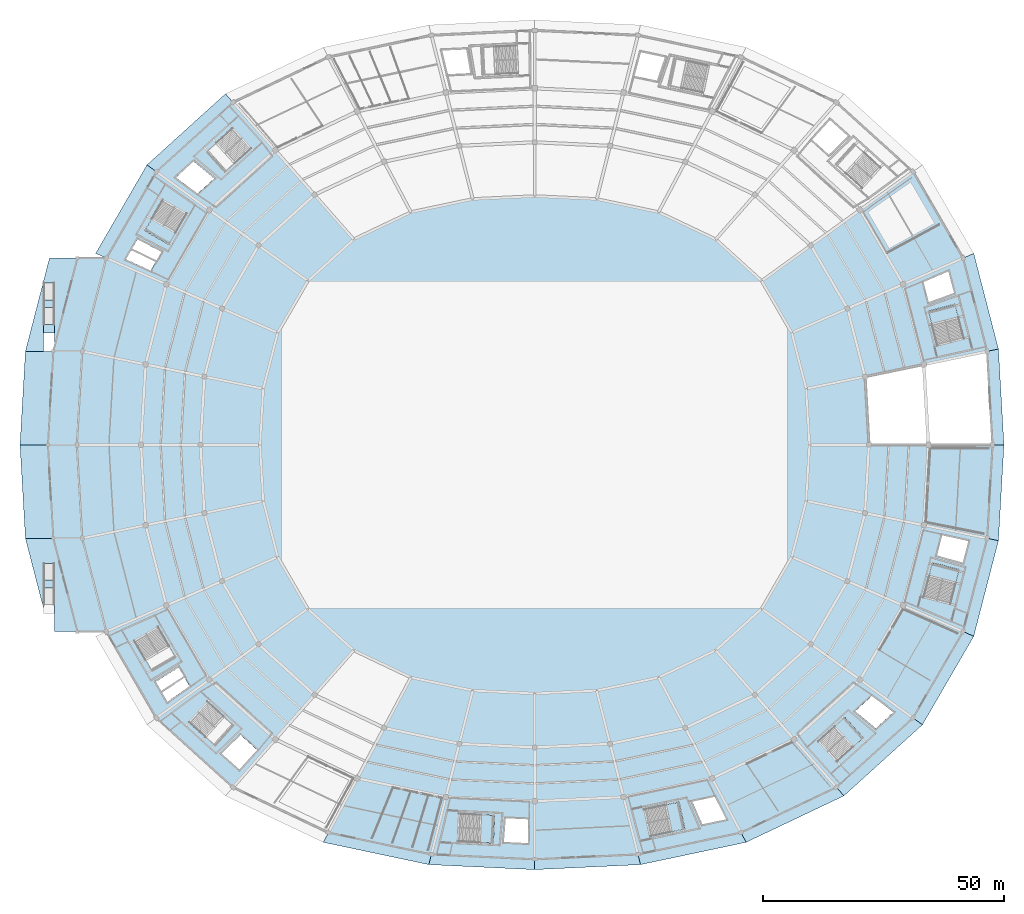
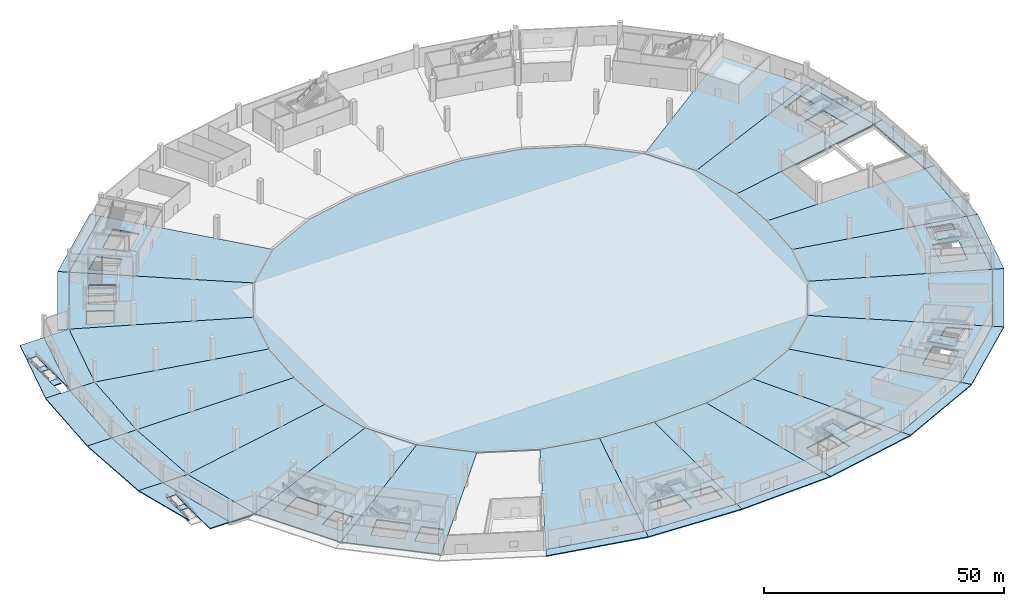
# One storey, part 7 of 48: 51 slabs, 8 elements without a shape of their own.
"""IFC4 building model written with IfcOpenShell, lengths in metres."""

from ifc_helpers import new_model, si_unit, direction, frame, origin, place, context, subcontext, project, spatial, polyline, outline, extrude, material, layer, layer_set, type_object, element, aggregate, save


model = new_model("IFC4")

# Units and contexts
model_context = context("Model", 3, precision=1e-05, world=origin(), true_north=direction((0.0, 1.0)))
body_context = subcontext(model_context, "Body", "Model", "MODEL_VIEW")
ifc_project = project(units=[si_unit("LENGTHUNIT", "METRE"), si_unit("AREAUNIT", "SQUARE_METRE"), si_unit("VOLUMEUNIT", "CUBIC_METRE"), si_unit("PLANEANGLEUNIT", "RADIAN"), si_unit("MASSUNIT", "GRAM", prefix="KILO")], contexts=[model_context])

# Site, building, storey
site_placement = place(None, origin())
site = spatial("IfcSite", under=ifc_project, at=site_placement, CompositionType="ELEMENT")
building_placement = place(site_placement, origin())
building = spatial("IfcBuilding", under=site, at=building_placement, Name="Kazemori Nagisa Stadium", CompositionType="ELEMENT")
storey_placement = place(building_placement, origin())
storey = spatial("IfcBuildingStorey", under=building, at=storey_placement, Name="L00", CompositionType="ELEMENT", Elevation=0.0)

# Slabs
ifc_material = material(Name="Concrete C36/45 (Fc36)", Category="concrete")
ifc_layer_1 = layer(ifc_material, 0.25, Name="Concrete C36/45 (Fc36)", Category="concrete")
ifc_layer_set_1 = layer_set([ifc_layer_1], Name="Concrete C36/45 (Fc36)")
slab_type_1 = type_object("IfcSlabType", Name="Slab_SL-APRON-250", PredefinedType="FLOOR", material=ifc_layer_set_1)
slab_1_placement = place(storey_placement, frame((0.0, 0.0, -0.25)))
element("IfcSlab", 1, at=slab_1_placement, inside=storey, type_object=slab_type_1, Name="Vehicle ramp exterior driveway apron L00", PredefinedType="FLOOR", context=body_context, shape_type="SweptSolid", body=[
    extrude(outline(polyline([(218.0, 102.0), (216.880859375, 121.397705078125), (219.227783203125, 121.882568359375), (220.375, 102.0), (218.0, 102.0)])), origin(), (0.0, 0.0, 1.0), 0.25),
])
slab_2_placement = place(storey_placement, frame((0.0, 0.0, -0.25)))
element("IfcSlab", 2, at=slab_2_placement, inside=storey, type_object=slab_type_1, Name="Exterior entrance plaza apron L00 bay 02", PredefinedType="FLOOR", context=body_context, shape_type="SweptSolid", body=[
    extrude(outline(polyline([(216.880859375, 121.397705078125), (211.885009765625, 140.74951171875), (214.10693359375, 141.71826171875), (219.227783203125, 121.882568359375), (216.880859375, 121.397705078125)])), origin(), (0.0, 0.0, 1.0), 0.25),
])
slab_3_placement = place(storey_placement, frame((0.0, 0.0, -0.25)))
element("IfcSlab", 3, at=slab_3_placement, inside=storey, type_object=slab_type_1, Name="Exterior entrance plaza apron L00 bay 11", PredefinedType="FLOOR", context=body_context, shape_type="SweptSolid", body=[
    extrude(outline(polyline([(60.402099609375, 173.05908203125), (44.504638671875, 158.667724609375), (42.542236328125, 160.084228515625), (58.837158203125, 174.83544921875), (60.402099609375, 173.05908203125)])), origin(), (0.0, 0.0, 1.0), 0.25),
])
slab_4_placement = place(storey_placement, frame((0.0, 0.0, -0.25)))
element("IfcSlab", 4, at=slab_4_placement, inside=storey, type_object=slab_type_1, Name="Exterior entrance plaza apron L00 bay 12", PredefinedType="FLOOR", context=body_context, shape_type="SweptSolid", body=[
    extrude(outline(polyline([(44.504638671875, 158.667724609375), (34.114990234375, 140.74951171875), (31.89306640625, 141.71826171875), (42.542236328125, 160.084228515625), (44.504638671875, 158.667724609375)])), origin(), (0.0, 0.0, 1.0), 0.25),
])
slab_5_placement = place(storey_placement, frame((0.0, 0.0, -0.25)))
element("IfcSlab", 5, at=slab_5_placement, inside=storey, type_object=slab_type_1, Name="Exterior entrance plaza apron L00 bay 20", PredefinedType="FLOOR", context=body_context, shape_type="SweptSolid", body=[
    extrude(outline(polyline([(80.1953125, 21.53564453125), (101.572265625, 17.01318359375), (101.03662109375, 14.888427734375), (79.125244140625, 19.524169921875), (80.1953125, 21.53564453125)])), origin(), (0.0, 0.0, 1.0), 0.25),
])
slab_6_placement = place(storey_placement, frame((0.0, 0.0, -0.25)))
element("IfcSlab", 6, at=slab_6_placement, inside=storey, type_object=slab_type_1, Name="Exterior entrance plaza apron L00 bay 21", PredefinedType="FLOOR", context=body_context, shape_type="SweptSolid", body=[
    extrude(outline(polyline([(101.572265625, 17.01318359375), (123.0, 16.0), (123.0, 13.85009765625), (101.03662109375, 14.888427734375), (101.572265625, 17.01318359375)])), origin(), (0.0, 0.0, 1.0), 0.25),
])
slab_7_placement = place(storey_placement, frame((0.0, 0.0, -0.25)))
element("IfcSlab", 7, at=slab_7_placement, inside=storey, type_object=slab_type_1, Name="Exterior entrance plaza apron L00 bay 22", PredefinedType="FLOOR", context=body_context, shape_type="SweptSolid", body=[
    extrude(outline(polyline([(123.0, 16.0), (144.427734375, 17.01318359375), (144.96337890625, 14.888427734375), (123.0, 13.85009765625), (123.0, 16.0)])), origin(), (0.0, 0.0, 1.0), 0.25),
])
slab_8_placement = place(storey_placement, frame((0.0, 0.0, -0.25)))
element("IfcSlab", 8, at=slab_8_placement, inside=storey, type_object=slab_type_1, Name="Exterior entrance plaza apron L00 bay 23", PredefinedType="FLOOR", context=body_context, shape_type="SweptSolid", body=[
    extrude(outline(polyline([(144.427734375, 17.01318359375), (165.8046875, 21.53564453125), (166.874755859375, 19.524169921875), (144.96337890625, 14.888427734375), (144.427734375, 17.01318359375)])), origin(), (0.0, 0.0, 1.0), 0.25),
])
slab_9_placement = place(storey_placement, frame((0.0, 0.0, -0.25)))
element("IfcSlab", 9, at=slab_9_placement, inside=storey, type_object=slab_type_1, Name="Exterior entrance plaza apron L00 bay 24", PredefinedType="FLOOR", context=body_context, shape_type="SweptSolid", body=[
    extrude(outline(polyline([(165.8046875, 21.53564453125), (185.597900390625, 30.94091796875), (187.162841796875, 29.16455078125), (166.874755859375, 19.524169921875), (165.8046875, 21.53564453125)])), origin(), (0.0, 0.0, 1.0), 0.25),
])
slab_10_placement = place(storey_placement, frame((0.0, 0.0, -0.25)))
element("IfcSlab", 10, at=slab_10_placement, inside=storey, type_object=slab_type_1, Name="Exterior entrance plaza apron L00 bay 25", PredefinedType="FLOOR", context=body_context, shape_type="SweptSolid", body=[
    extrude(outline(polyline([(185.597900390625, 30.94091796875), (201.495361328125, 45.332275390625), (203.457763671875, 43.915771484375), (187.162841796875, 29.16455078125), (185.597900390625, 30.94091796875)])), origin(), (0.0, 0.0, 1.0), 0.25),
])
slab_11_placement = place(storey_placement, frame((0.0, 0.0, -0.25)))
element("IfcSlab", 11, at=slab_11_placement, inside=storey, type_object=slab_type_1, Name="Exterior entrance plaza apron L00 bay 26", PredefinedType="FLOOR", context=body_context, shape_type="SweptSolid", body=[
    extrude(outline(polyline([(201.495361328125, 45.332275390625), (211.885009765625, 63.25048828125), (214.10693359375, 62.28173828125), (203.457763671875, 43.915771484375), (201.495361328125, 45.332275390625)])), origin(), (0.0, 0.0, 1.0), 0.25),
])
slab_12_placement = place(storey_placement, frame((0.0, 0.0, -0.25)))
element("IfcSlab", 12, at=slab_12_placement, inside=storey, type_object=slab_type_1, Name="Exterior entrance plaza apron L00 bay 27", PredefinedType="FLOOR", context=body_context, shape_type="SweptSolid", body=[
    extrude(outline(polyline([(211.885009765625, 63.25048828125), (216.880859375, 82.602294921875), (219.227783203125, 82.117431640625), (214.10693359375, 62.28173828125), (211.885009765625, 63.25048828125)])), origin(), (0.0, 0.0, 1.0), 0.25),
])
slab_13_placement = place(storey_placement, frame((0.0, 0.0, -0.25)))
element("IfcSlab", 13, at=slab_13_placement, inside=storey, type_object=slab_type_1, Name="Exterior entrance plaza apron L00 bay 28", PredefinedType="FLOOR", context=body_context, shape_type="SweptSolid", body=[
    extrude(outline(polyline([(216.880859375, 82.602294921875), (218.0, 102.0), (220.375, 102.0), (219.227783203125, 82.117431640625), (216.880859375, 82.602294921875)])), origin(), (0.0, 0.0, 1.0), 0.25),
])
slab_14_placement = place(storey_placement, frame((0.0, 0.0, -0.25)))
element("IfcSlab", 14, at=slab_14_placement, inside=storey, type_object=slab_type_1, Name="Kazemori boulevard arrival plaza L00 B13", PredefinedType="FLOOR", context=body_context, shape_type="SweptSolid", body=[
    extrude(outline(polyline([(23.337158203125, 122.241943359375), (23.337158203125, 135.573486328125), (21.09716796875, 135.573486328125), (21.09716796875, 121.397705078125), (17.319091796875, 121.397705078125), (22.315185546875, 140.74951171875), (28.114990234375, 140.74951171875), (23.337158203125, 122.241943359375)])), origin(), (0.0, 0.0, 1.0), 0.25),
])
slab_15_placement = place(storey_placement, frame((0.0, 0.0, -0.25)))
element("IfcSlab", 15, at=slab_15_placement, inside=storey, type_object=slab_type_1, Name="Kazemori boulevard arrival plaza L00 B14", PredefinedType="FLOOR", context=body_context, shape_type="SweptSolid", body=[
    extrude(outline(polyline([(23.119140625, 121.397705078125), (22.0, 102.0), (16.199951171875, 102.0), (17.319091796875, 121.397705078125), (23.119140625, 121.397705078125)])), origin(), (0.0, 0.0, 1.0), 0.25),
])
slab_16_placement = place(storey_placement, frame((0.0, 0.0, -0.25)))
element("IfcSlab", 16, at=slab_16_placement, inside=storey, type_object=slab_type_1, Name="Kazemori boulevard arrival plaza L00 B15", PredefinedType="FLOOR", context=body_context, shape_type="SweptSolid", body=[
    extrude(outline(polyline([(22.0, 102.0), (23.119140625, 82.602294921875), (17.319091796875, 82.602294921875), (16.199951171875, 102.0), (22.0, 102.0)])), origin(), (0.0, 0.0, 1.0), 0.25),
])
slab_17_placement = place(storey_placement, frame((0.0, 0.0, -0.25)))
element("IfcSlab", 17, at=slab_17_placement, inside=storey, type_object=slab_type_1, Name="Kazemori boulevard arrival plaza L00 B16", PredefinedType="FLOOR", context=body_context, shape_type="SweptSolid", body=[
    extrude(outline(polyline([(28.114990234375, 63.25048828125), (23.337158203125, 63.25048828125), (23.337158203125, 77.426513671875), (21.09716796875, 77.426513671875), (21.09716796875, 67.96826171875), (17.319091796875, 82.602294921875), (23.119140625, 82.602294921875), (28.114990234375, 63.25048828125)])), origin(), (0.0, 0.0, 1.0), 0.25),
])
ifc_layer_2 = layer(ifc_material, 0.300048828125, Name="Concrete C36/45 (Fc36)", Category="concrete")
ifc_layer_set_2 = layer_set([ifc_layer_2], Name="Concrete C36/45 (Fc36)")
slab_type_2 = type_object("IfcSlabType", Name="Slab_SL-L00-300", PredefinedType="FLOOR", material=ifc_layer_set_2)
slab_18_placement = place(storey_placement, frame((0.0, 0.0, -0.300048828125)))
element("IfcSlab", 18, at=slab_18_placement, inside=storey, type_object=slab_type_2, Name="Ground inner apron slab B01", PredefinedType="FLOOR", context=body_context, shape_type="SweptSolid", body=[
    extrude(outline(polyline([(180.0, 102.0), (179.328369140625, 113.638671875), (191.532958984375, 116.160400390625), (192.35009765625, 102.0), (180.0, 102.0)])), origin(), (0.0, 0.0, 1.0), 0.300048828125),
])
slab_19_placement = place(storey_placement, frame((0.0, 0.0, -0.300048828125)))
element("IfcSlab", 19, at=slab_19_placement, inside=storey, type_object=slab_type_2, Name="Ground concourse slab L00 bay 02", PredefinedType="FLOOR", context=body_context, shape_type="SweptSolid", body=[
    extrude(outline(polyline([(179.328369140625, 113.638671875), (176.3310546875, 125.249755859375), (211.885009765625, 140.74951171875), (216.880859375, 121.397705078125), (179.328369140625, 113.638671875)]), holes=[polyline([(206.533447265625, 122.641357421875), (204.760009765625, 129.51123046875), (210.279052734375, 130.93603515625), (212.052490234375, 124.066162109375), (206.533447265625, 122.641357421875)]), polyline([(204.751953125, 131.6064453125), (203.668212890625, 135.804931640625), (208.84375, 137.973876953125), (209.9970703125, 133.505859375), (204.751953125, 131.6064453125)])]), origin(), (0.0, 0.0, 1.0), 0.300048828125),
])
slab_20_placement = place(storey_placement, frame((0.0, 0.0, -0.300048828125)))
element("IfcSlab", 20, at=slab_20_placement, inside=storey, type_object=slab_type_2, Name="Ground concourse slab L00 bay 03", PredefinedType="FLOOR", context=body_context, shape_type="SweptSolid", body=[
    extrude(outline(polyline([(176.3310546875, 125.249755859375), (170.09716796875, 136.00048828125), (201.495361328125, 158.667724609375), (211.885009765625, 140.74951171875), (176.3310546875, 125.249755859375)])), origin(), (0.0, 0.0, 1.0), 0.300048828125),
])
slab_21_placement = place(storey_placement, frame((0.0, 0.0, -0.300048828125)))
element("IfcSlab", 21, at=slab_21_placement, inside=storey, type_object=slab_type_2, Name="Ground concourse slab L00 bay 11", PredefinedType="FLOOR", context=body_context, shape_type="SweptSolid", body=[
    extrude(outline(polyline([(85.441162109375, 144.635498046875), (75.90283203125, 136.00048828125), (44.504638671875, 158.667724609375), (60.402099609375, 173.05908203125), (85.441162109375, 144.635498046875)]), holes=[polyline([(64.12109375, 163.4794921875), (58.861328125, 158.7177734375), (55.035888671875, 162.943603515625), (60.2958984375, 167.705078125), (64.12109375, 163.4794921875)]), polyline([(56.495361328125, 157.260498046875), (53.046142578125, 154.13818359375), (48.557861328125, 157.4833984375), (52.228271484375, 160.80615234375), (56.495361328125, 157.260498046875)])]), origin(), (0.0, 0.0, 1.0), 0.300048828125),
])
slab_22_placement = place(storey_placement, frame((0.0, 0.0, -0.300048828125)))
element("IfcSlab", 22, at=slab_22_placement, inside=storey, type_object=slab_type_2, Name="Ground concourse slab L00 bay 12", PredefinedType="FLOOR", context=body_context, shape_type="SweptSolid", body=[
    extrude(outline(polyline([(75.90283203125, 136.00048828125), (69.6689453125, 125.249755859375), (34.114990234375, 140.74951171875), (44.504638671875, 158.667724609375), (75.90283203125, 136.00048828125)]), holes=[polyline([(50.736083984375, 149.940673828125), (47.17724609375, 143.802734375), (42.24609375, 146.661865234375), (45.80517578125, 152.7998046875), (50.736083984375, 149.940673828125)]), polyline([(45.5595703125, 142.051025390625), (43.305419921875, 138.163330078125), (38.1923828125, 140.483642578125), (40.591064453125, 144.62060546875), (45.5595703125, 142.051025390625)])]), origin(), (0.0, 0.0, 1.0), 0.300048828125),
])
slab_23_placement = place(storey_placement, frame((0.0, 0.0, -0.300048828125)))
element("IfcSlab", 23, at=slab_23_placement, inside=storey, type_object=slab_type_2, Name="Ground concourse slab L00 bay 13", PredefinedType="FLOOR", context=body_context, shape_type="SweptSolid", body=[
    extrude(outline(polyline([(69.6689453125, 125.249755859375), (66.671630859375, 113.638671875), (29.119140625, 121.397705078125), (34.114990234375, 140.74951171875), (69.6689453125, 125.249755859375)])), origin(), (0.0, 0.0, 1.0), 0.300048828125),
])
slab_24_placement = place(storey_placement, frame((0.0, 0.0, -0.300048828125)))
element("IfcSlab", 24, at=slab_24_placement, inside=storey, type_object=slab_type_2, Name="Ground concourse slab L00 bay 14", PredefinedType="FLOOR", context=body_context, shape_type="SweptSolid", body=[
    extrude(outline(polyline([(66.671630859375, 113.638671875), (66.0, 102.0), (28.0, 102.0), (29.119140625, 121.397705078125), (66.671630859375, 113.638671875)])), origin(), (0.0, 0.0, 1.0), 0.300048828125),
])
slab_25_placement = place(storey_placement, frame((0.0, 0.0, -0.300048828125)))
element("IfcSlab", 25, at=slab_25_placement, inside=storey, type_object=slab_type_2, Name="Ground concourse slab L00 bay 15", PredefinedType="FLOOR", context=body_context, shape_type="SweptSolid", body=[
    extrude(outline(polyline([(66.0, 102.0), (66.671630859375, 90.361328125), (29.119140625, 82.602294921875), (28.0, 102.0), (66.0, 102.0)])), origin(), (0.0, 0.0, 1.0), 0.300048828125),
])
slab_26_placement = place(storey_placement, frame((0.0, 0.0, -0.300048828125)))
element("IfcSlab", 26, at=slab_26_placement, inside=storey, type_object=slab_type_2, Name="Ground concourse slab L00 bay 16", PredefinedType="FLOOR", context=body_context, shape_type="SweptSolid", body=[
    extrude(outline(polyline([(66.671630859375, 90.361328125), (69.6689453125, 78.750244140625), (34.114990234375, 63.25048828125), (29.119140625, 82.602294921875), (66.671630859375, 90.361328125)])), origin(), (0.0, 0.0, 1.0), 0.300048828125),
])
slab_27_placement = place(storey_placement, frame((0.0, 0.0, -0.300048828125)))
element("IfcSlab", 27, at=slab_27_placement, inside=storey, type_object=slab_type_2, Name="Ground concourse slab L00 bay 17", PredefinedType="FLOOR", context=body_context, shape_type="SweptSolid", body=[
    extrude(outline(polyline([(69.6689453125, 78.750244140625), (75.90283203125, 67.99951171875), (44.504638671875, 45.332275390625), (34.114990234375, 63.25048828125), (69.6689453125, 78.750244140625)]), holes=[polyline([(44.858642578125, 64.196044921875), (48.41748046875, 58.05810546875), (43.486572265625, 55.198974609375), (39.927490234375, 61.336669921875), (44.858642578125, 64.196044921875)]), polyline([(49.128662109375, 55.793701171875), (51.3828125, 51.90625), (46.787841796875, 48.6923828125), (44.38916015625, 52.829345703125), (49.128662109375, 55.793701171875)])]), origin(), (0.0, 0.0, 1.0), 0.300048828125),
])
slab_28_placement = place(storey_placement, frame((0.0, 0.0, -0.300048828125)))
element("IfcSlab", 28, at=slab_28_placement, inside=storey, type_object=slab_type_2, Name="Ground concourse slab L00 bay 18", PredefinedType="FLOOR", context=body_context, shape_type="SweptSolid", body=[
    extrude(outline(polyline([(75.90283203125, 67.99951171875), (85.441162109375, 59.364501953125), (60.402099609375, 30.94091796875), (44.504638671875, 45.332275390625), (75.90283203125, 67.99951171875)]), holes=[polyline([(55.12353515625, 48.665771484375), (60.383544921875, 43.904052734375), (56.55810546875, 39.678466796875), (51.29833984375, 44.43994140625), (55.12353515625, 48.665771484375)]), polyline([(61.956298828125, 41.795654296875), (65.405517578125, 38.67333984375), (61.710205078125, 34.6103515625), (58.039794921875, 37.93310546875), (61.956298828125, 41.795654296875)])]), origin(), (0.0, 0.0, 1.0), 0.300048828125),
])
slab_29_placement = place(storey_placement, frame((0.0, 0.0, -0.300048828125)))
element("IfcSlab", 29, at=slab_29_placement, inside=storey, type_object=slab_type_2, Name="Ground concourse slab L00 bay 20", PredefinedType="FLOOR", context=body_context, shape_type="SweptSolid", body=[
    extrude(outline(polyline([(97.317138671875, 53.721435546875), (110.143310546875, 51.0078125), (101.572265625, 17.01318359375), (80.1953125, 21.53564453125), (97.317138671875, 53.721435546875)])), origin(), (0.0, 0.0, 1.0), 0.300048828125),
])
slab_30_placement = place(storey_placement, frame((0.0, 0.0, -0.300048828125)))
element("IfcSlab", 30, at=slab_30_placement, inside=storey, type_object=slab_type_2, Name="Ground concourse slab L00 bay 21", PredefinedType="FLOOR", context=body_context, shape_type="SweptSolid", body=[
    extrude(outline(polyline([(110.143310546875, 51.0078125), (123.0, 50.39990234375), (123.0, 16.0), (101.572265625, 17.01318359375), (110.143310546875, 51.0078125)]), holes=[polyline([(107.32470703125, 25.434814453125), (114.411865234375, 25.099853515625), (114.142578125, 19.40625), (107.0556640625, 19.7412109375), (107.32470703125, 25.434814453125)]), polyline([(116.9951171875, 24.5400390625), (121.64404296875, 24.320068359375), (121.55712890625, 19.336181640625), (116.60986328125, 19.570068359375), (116.9951171875, 24.5400390625)])]), origin(), (0.0, 0.0, 1.0), 0.300048828125),
])
slab_31_placement = place(storey_placement, frame((0.0, 0.0, -0.300048828125)))
element("IfcSlab", 31, at=slab_31_placement, inside=storey, type_object=slab_type_2, Name="Ground concourse slab L00 bay 22", PredefinedType="FLOOR", context=body_context, shape_type="SweptSolid", body=[
    extrude(outline(polyline([(123.0, 50.39990234375), (135.856689453125, 51.0078125), (144.427734375, 17.01318359375), (123.0, 16.0), (123.0, 50.39990234375)])), origin(), (0.0, 0.0, 1.0), 0.300048828125),
])
slab_32_placement = place(storey_placement, frame((0.0, 0.0, -0.300048828125)))
element("IfcSlab", 32, at=slab_32_placement, inside=storey, type_object=slab_type_2, Name="Ground concourse slab L00 bay 23", PredefinedType="FLOOR", context=body_context, shape_type="SweptSolid", body=[
    extrude(outline(polyline([(135.856689453125, 51.0078125), (148.682861328125, 53.721435546875), (165.8046875, 21.53564453125), (144.427734375, 17.01318359375), (135.856689453125, 51.0078125)]), holes=[polyline([(145.77685546875, 26.353271484375), (152.71826171875, 27.82177734375), (153.89794921875, 22.2451171875), (146.956787109375, 20.776611328125), (145.77685546875, 26.353271484375)]), polyline([(155.704833984375, 27.992919921875), (160.3427734375, 28.97412109375), (162.738525390625, 24.288818359375), (157.802978515625, 23.24462890625), (155.704833984375, 27.992919921875)])]), origin(), (0.0, 0.0, 1.0), 0.300048828125),
])
slab_33_placement = place(storey_placement, frame((0.0, 0.0, -0.300048828125)))
element("IfcSlab", 33, at=slab_33_placement, inside=storey, type_object=slab_type_2, Name="Ground concourse slab L00 bay 24", PredefinedType="FLOOR", context=body_context, shape_type="SweptSolid", body=[
    extrude(outline(polyline([(148.682861328125, 53.721435546875), (160.558837890625, 59.364501953125), (185.597900390625, 30.94091796875), (165.8046875, 21.53564453125), (148.682861328125, 53.721435546875)])), origin(), (0.0, 0.0, 1.0), 0.300048828125),
])
slab_34_placement = place(storey_placement, frame((0.0, 0.0, -0.300048828125)))
element("IfcSlab", 34, at=slab_34_placement, inside=storey, type_object=slab_type_2, Name="Ground concourse slab L00 bay 25", PredefinedType="FLOOR", context=body_context, shape_type="SweptSolid", body=[
    extrude(outline(polyline([(160.558837890625, 59.364501953125), (170.09716796875, 67.99951171875), (201.495361328125, 45.332275390625), (185.597900390625, 30.94091796875), (160.558837890625, 59.364501953125)]), holes=[polyline([(181.87890625, 40.5205078125), (187.138671875, 45.2822265625), (190.964111328125, 41.056396484375), (185.7041015625, 36.294921875), (181.87890625, 40.5205078125)]), polyline([(189.504638671875, 46.739501953125), (192.953857421875, 49.86181640625), (197.442138671875, 46.5166015625), (193.771728515625, 43.19384765625), (189.504638671875, 46.739501953125)])]), origin(), (0.0, 0.0, 1.0), 0.300048828125),
])
slab_35_placement = place(storey_placement, frame((0.0, 0.0, -0.300048828125)))
element("IfcSlab", 35, at=slab_35_placement, inside=storey, type_object=slab_type_2, Name="Ground concourse slab L00 bay 26", PredefinedType="FLOOR", context=body_context, shape_type="SweptSolid", body=[
    extrude(outline(polyline([(170.09716796875, 67.99951171875), (176.3310546875, 78.750244140625), (211.885009765625, 63.25048828125), (201.495361328125, 45.332275390625), (170.09716796875, 67.99951171875)])), origin(), (0.0, 0.0, 1.0), 0.300048828125),
])
slab_36_placement = place(storey_placement, frame((0.0, 0.0, -0.300048828125)))
element("IfcSlab", 36, at=slab_36_placement, inside=storey, type_object=slab_type_2, Name="Ground concourse slab L00 bay 27", PredefinedType="FLOOR", context=body_context, shape_type="SweptSolid", body=[
    extrude(outline(polyline([(176.3310546875, 78.750244140625), (179.328369140625, 90.361328125), (216.880859375, 82.602294921875), (211.885009765625, 63.25048828125), (176.3310546875, 78.750244140625)]), holes=[polyline([(203.708740234375, 70.41650390625), (205.482177734375, 77.2861328125), (211.001220703125, 75.861328125), (209.227783203125, 68.99169921875), (203.708740234375, 70.41650390625)]), polyline([(206.46826171875, 79.041259765625), (207.552001953125, 83.239990234375), (212.976806640625, 82.036376953125), (211.823486328125, 77.568359375), (206.46826171875, 79.041259765625)])]), origin(), (0.0, 0.0, 1.0), 0.300048828125),
])
slab_37_placement = place(storey_placement, frame((0.0, 0.0, -0.300048828125)))
element("IfcSlab", 37, at=slab_37_placement, inside=storey, type_object=slab_type_2, Name="Ground concourse slab L00 bay 28", PredefinedType="FLOOR", context=body_context, shape_type="SweptSolid", body=[
    extrude(outline(polyline([(179.328369140625, 90.361328125), (180.0, 102.0), (218.0, 102.0), (216.880859375, 82.602294921875), (179.328369140625, 90.361328125)])), origin(), (0.0, 0.0, 1.0), 0.300048828125),
])
slab_38_placement = place(storey_placement, frame((0.0, 0.0, -0.300048828125)))
element("IfcSlab", 38, at=slab_38_placement, inside=storey, type_object=slab_type_2, Name="West boulevard foyer slab L00 B13", PredefinedType="FLOOR", context=body_context, shape_type="SweptSolid", body=[
    extrude(outline(polyline([(34.114990234375, 140.74951171875), (29.119140625, 121.397705078125), (23.119140625, 121.397705078125), (28.114990234375, 140.74951171875), (34.114990234375, 140.74951171875)])), origin(), (0.0, 0.0, 1.0), 0.300048828125),
])
slab_39_placement = place(storey_placement, frame((0.0, 0.0, -0.300048828125)))
element("IfcSlab", 39, at=slab_39_placement, inside=storey, type_object=slab_type_2, Name="West boulevard foyer slab L00 B14", PredefinedType="FLOOR", context=body_context, shape_type="SweptSolid", body=[
    extrude(outline(polyline([(29.119140625, 121.397705078125), (28.0, 102.0), (22.0, 102.0), (23.119140625, 121.397705078125), (29.119140625, 121.397705078125)])), origin(), (0.0, 0.0, 1.0), 0.300048828125),
])
slab_40_placement = place(storey_placement, frame((0.0, 0.0, -0.300048828125)))
element("IfcSlab", 40, at=slab_40_placement, inside=storey, type_object=slab_type_2, Name="West boulevard foyer slab L00 B15", PredefinedType="FLOOR", context=body_context, shape_type="SweptSolid", body=[
    extrude(outline(polyline([(28.0, 102.0), (29.119140625, 82.602294921875), (23.119140625, 82.602294921875), (22.0, 102.0), (28.0, 102.0)])), origin(), (0.0, 0.0, 1.0), 0.300048828125),
])
slab_41_placement = place(storey_placement, frame((0.0, 0.0, -0.300048828125)))
element("IfcSlab", 41, at=slab_41_placement, inside=storey, type_object=slab_type_2, Name="West boulevard foyer slab L00 B16", PredefinedType="FLOOR", context=body_context, shape_type="SweptSolid", body=[
    extrude(outline(polyline([(29.119140625, 82.602294921875), (34.114990234375, 63.25048828125), (28.114990234375, 63.25048828125), (23.119140625, 82.602294921875), (29.119140625, 82.602294921875)])), origin(), (0.0, 0.0, 1.0), 0.300048828125),
])

# Stair, slab
stair_type = type_object("IfcStairType", Name="Stair_CORE_34", PredefinedType="TWO_STRAIGHT_RUN_STAIR", material=ifc_material)
stair_1_placement = place(storey_placement, origin())
stair_1 = element("IfcStair", 42, at=stair_1_placement, inside=storey, type_object=stair_type, Name="Exit stair ST07 L00", PredefinedType="TWO_STRAIGHT_RUN_STAIR")
ifc_layer_3 = layer(ifc_material, 0.199951171875, Name="Concrete C36/45 (Fc36)", Category="concrete")
ifc_layer_set_3 = layer_set([ifc_layer_3], Name="Concrete C36/45 (Fc36)")
slab_type_3 = type_object("IfcSlabType", Name="Slab_SL-LND-200", PredefinedType="LANDING", material=ifc_layer_set_3)
slab_42_placement = place(storey_placement, frame((0.0, 0.0, 2.68994140625)))
slab_42 = element("IfcSlab", 43, at=slab_42_placement, type_object=slab_type_3, Name="Exit stair ST07 L00 mid-landing", PredefinedType="LANDING", context=body_context, shape_type="SweptSolid", body=[
    extrude(outline(polyline([(205.401123046875, 127.027587890625), (204.688720703125, 129.787109375), (210.207763671875, 131.2119140625), (210.920166015625, 128.452392578125), (205.401123046875, 127.027587890625)])), origin(), (0.0, 0.0, 1.0), 0.199951171875),
])
aggregate(stair_1, [slab_42])

stair_2_placement = place(storey_placement, origin())
stair_2 = element("IfcStair", 44, at=stair_2_placement, inside=storey, type_object=stair_type, Name="Exit stair ST08 L00", PredefinedType="TWO_STRAIGHT_RUN_STAIR")
slab_43_placement = place(storey_placement, frame((0.0, 0.0, 2.68994140625)))
slab_43 = element("IfcSlab", 45, at=slab_43_placement, type_object=slab_type_3, Name="Exit stair ST08 L00 mid-landing", PredefinedType="LANDING", context=body_context, shape_type="SweptSolid", body=[
    extrude(outline(polyline([(48.4638671875, 146.021728515625), (47.0341796875, 143.55615234375), (42.103271484375, 146.415283203125), (43.53271484375, 148.880859375), (48.4638671875, 146.021728515625)])), origin(), (0.0, 0.0, 1.0), 0.199951171875),
])
aggregate(stair_2, [slab_43])

stair_3_placement = place(storey_placement, origin())
stair_3 = element("IfcStair", 46, at=stair_3_placement, inside=storey, type_object=stair_type, Name="Exit stair ST12 L00", PredefinedType="TWO_STRAIGHT_RUN_STAIR")
slab_44_placement = place(storey_placement, frame((0.0, 0.0, 2.68994140625)))
slab_44 = element("IfcSlab", 47, at=slab_44_placement, type_object=slab_type_3, Name="Exit stair ST12 L00 mid-landing", PredefinedType="LANDING", context=body_context, shape_type="SweptSolid", body=[
    extrude(outline(polyline([(111.849609375, 25.220947265625), (114.696533203125, 25.08642578125), (114.42724609375, 19.392578125), (111.58056640625, 19.52734375), (111.849609375, 25.220947265625)])), origin(), (0.0, 0.0, 1.0), 0.199951171875),
])
aggregate(stair_3, [slab_44])

stair_4_placement = place(storey_placement, origin())
stair_4 = element("IfcStair", 48, at=stair_4_placement, inside=storey, type_object=stair_type, Name="Exit stair ST06 L00", PredefinedType="TWO_STRAIGHT_RUN_STAIR")
slab_45_placement = place(storey_placement, frame((0.0, 0.0, 2.68994140625)))
slab_45 = element("IfcSlab", 49, at=slab_45_placement, type_object=slab_type_3, Name="Exit stair ST06 L00 mid-landing", PredefinedType="LANDING", context=body_context, shape_type="SweptSolid", body=[
    extrude(outline(polyline([(150.208740234375, 27.290771484375), (152.9970703125, 27.880615234375), (154.177001953125, 22.30419921875), (151.388671875, 21.714111328125), (150.208740234375, 27.290771484375)])), origin(), (0.0, 0.0, 1.0), 0.199951171875),
])
aggregate(stair_4, [slab_45])

stair_5_placement = place(storey_placement, origin())
stair_5 = element("IfcStair", 50, at=stair_5_placement, inside=storey, type_object=stair_type, Name="Exit stair ST04 L00", PredefinedType="TWO_STRAIGHT_RUN_STAIR")
slab_46_placement = place(storey_placement, frame((0.0, 0.0, 2.68994140625)))
slab_46 = element("IfcSlab", 51, at=slab_46_placement, type_object=slab_type_3, Name="Exit stair ST04 L00 mid-landing", PredefinedType="LANDING", context=body_context, shape_type="SweptSolid", body=[
    extrude(outline(polyline([(185.237060546875, 43.560791015625), (187.35009765625, 45.473388671875), (191.17529296875, 41.247802734375), (189.0625, 39.3349609375), (185.237060546875, 43.560791015625)])), origin(), (0.0, 0.0, 1.0), 0.199951171875),
])
aggregate(stair_5, [slab_46])

stair_6_placement = place(storey_placement, origin())
stair_6 = element("IfcStair", 52, at=stair_6_placement, inside=storey, type_object=stair_type, Name="Exit stair ST10 L00", PredefinedType="TWO_STRAIGHT_RUN_STAIR")
slab_47_placement = place(storey_placement, frame((0.0, 0.0, 2.68994140625)))
slab_47 = element("IfcSlab", 53, at=slab_47_placement, type_object=slab_type_3, Name="Exit stair ST10 L00 mid-landing", PredefinedType="LANDING", context=body_context, shape_type="SweptSolid", body=[
    extrude(outline(polyline([(204.841064453125, 74.802734375), (205.553466796875, 77.562255859375), (211.072509765625, 76.137451171875), (210.360107421875, 73.3779296875), (204.841064453125, 74.802734375)])), origin(), (0.0, 0.0, 1.0), 0.199951171875),
])
aggregate(stair_6, [slab_47])

# Ramp, slab
ramp_type = type_object("IfcRampType", Name="Ramp_PED", PredefinedType="STRAIGHT_RUN_RAMP", material=ifc_material)
ramp_1_placement = place(storey_placement, origin())
ramp_1 = element("IfcRamp", 54, at=ramp_1_placement, inside=storey, type_object=ramp_type, Name="Boulevard accessible pedestrian ramp RP1", PredefinedType="STRAIGHT_RUN_RAMP")
ifc_layer_4 = layer(ifc_material, 0.25, Name="Concrete C36/45 (Fc36)", Category="concrete")
ifc_layer_set_4 = layer_set([ifc_layer_4], Name="Concrete C36/45 (Fc36)")
slab_type_4 = type_object("IfcSlabType", Name="Slab_SL-PAD-250", PredefinedType="LANDING", material=ifc_layer_set_4)
slab_48_placement = place(storey_placement, frame((0.0, 0.0, -0.75)))
slab_48 = element("IfcSlab", 55, at=slab_48_placement, type_object=slab_type_4, Name="Boulevard ramp grade landing pad RP1", PredefinedType="LANDING", context=body_context, shape_type="SweptSolid", body=[
    extrude(outline(polyline([(21.067138671875, 125.173583984375), (23.3671875, 125.173583984375), (23.3671875, 126.9736328125), (21.067138671875, 126.9736328125), (21.067138671875, 125.173583984375)])), origin(), (0.0, 0.0, 1.0), 0.25),
])

# Slab
ifc_layer_5 = layer(ifc_material, 0.300048828125, Name="Concrete C36/45 (Fc36)", Category="concrete")
ifc_layer_set_5 = layer_set([ifc_layer_5], Name="Concrete C36/45 (Fc36)")
slab_type_5 = type_object("IfcSlabType", Name="Slab_SL-PITCH-300", PredefinedType="FLOOR", material=ifc_layer_set_5)
slab_49_placement = place(storey_placement, frame((0.0, 0.0, -0.300048828125)))
element("IfcSlab", 56, at=slab_49_placement, inside=storey, type_object=slab_type_5, Name="Field event structural slab L00", PredefinedType="FLOOR", context=body_context, shape_type="SweptSolid", body=[
    extrude(outline(polyline([(180.0, 102.0), (179.328369140625, 113.638671875), (176.3310546875, 125.249755859375), (170.09716796875, 136.00048828125), (160.558837890625, 144.635498046875), (148.682861328125, 150.278564453125), (135.856689453125, 152.9921875), (123.0, 153.60009765625), (110.143310546875, 152.9921875), (97.317138671875, 150.278564453125), (85.441162109375, 144.635498046875), (75.90283203125, 136.00048828125), (69.6689453125, 125.249755859375), (66.671630859375, 113.638671875), (66.0, 102.0), (66.671630859375, 90.361328125), (69.6689453125, 78.750244140625), (75.90283203125, 67.99951171875), (85.441162109375, 59.364501953125), (97.317138671875, 53.721435546875), (110.143310546875, 51.0078125), (123.0, 50.39990234375), (135.856689453125, 51.0078125), (148.682861328125, 53.721435546875), (160.558837890625, 59.364501953125), (170.09716796875, 67.99951171875), (176.3310546875, 78.750244140625), (179.328369140625, 90.361328125), (180.0, 102.0)])), origin(), (0.0, 0.0, 1.0), 0.300048828125),
])

ifc_layer_6 = layer(ifc_material, 0.25, Name="Concrete C36/45 (Fc36)", Category="concrete")
ifc_layer_set_6 = layer_set([ifc_layer_6], Name="Concrete C36/45 (Fc36)")
slab_type_6 = type_object("IfcSlabType", Name="Slab_SL-RMP-240", PredefinedType="LANDING", material=ifc_layer_set_6)
slab_50_placement = place(storey_placement, frame((0.0, 0.0, -0.5)))
slab_50 = element("IfcSlab", 57, at=slab_50_placement, type_object=slab_type_6, Name="Boulevard ramp mid-landing RP1", PredefinedType="LANDING", context=body_context, shape_type="SweptSolid", body=[
    extrude(outline(polyline([(21.1171875, 130.4736328125), (23.317138671875, 130.4736328125), (23.317138671875, 132.07373046875), (21.1171875, 132.07373046875), (21.1171875, 130.4736328125)])), origin(), (0.0, 0.0, 1.0), 0.25),
])

aggregate(ramp_1, [slab_48, slab_50])

# Ramp, slab
ramp_2_placement = place(storey_placement, origin())
ramp_2 = element("IfcRamp", 58, at=ramp_2_placement, inside=storey, type_object=ramp_type, Name="Boulevard accessible pedestrian ramp RP2", PredefinedType="STRAIGHT_RUN_RAMP")
slab_51_placement = place(storey_placement, frame((0.0, 0.0, -0.5)))
slab_51 = element("IfcSlab", 59, at=slab_51_placement, type_object=slab_type_6, Name="Boulevard ramp mid-landing RP2", PredefinedType="LANDING", context=body_context, shape_type="SweptSolid", body=[
    extrude(outline(polyline([(21.1171875, 72.326416015625), (23.317138671875, 72.326416015625), (23.317138671875, 73.92626953125), (21.1171875, 73.92626953125), (21.1171875, 72.326416015625)])), origin(), (0.0, 0.0, 1.0), 0.25),
])
aggregate(ramp_2, [slab_51])

save(model, "model.ifc")
